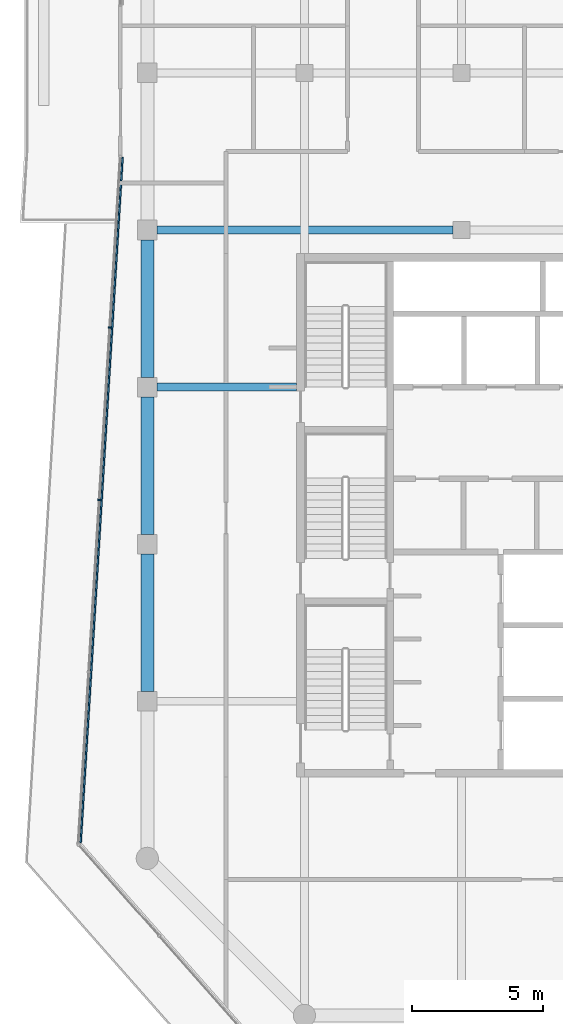
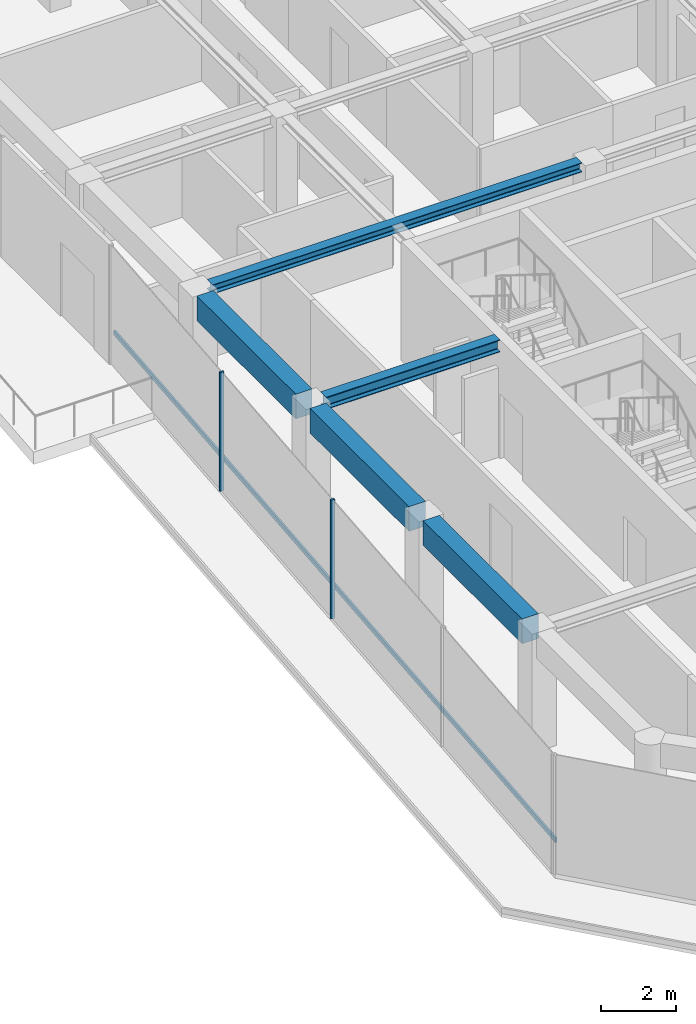
# One storey, part 4 of 18: 5 beams, 3 members, 1 element without a shape of its own.
"""IFC4 building model written with IfcOpenShell, lengths in metres."""

from ifc_helpers import new_model, si_unit, direction, frame, origin, origin_2d, place, context, subcontext, project, spatial, rectangle, i_section, extrude, material, layer, layer_set, material_profile, profile_set, type_object, element, aggregate, save


model = new_model("IFC4")

# Units and contexts
model_context = context("Model", 3, precision=1e-05, world=origin(), true_north=direction((0.0, 1.0)))
body_context = subcontext(model_context, "Body", "Model", "MODEL_VIEW")
ifc_project = project(units=[si_unit("LENGTHUNIT", "METRE"), si_unit("AREAUNIT", "SQUARE_METRE"), si_unit("VOLUMEUNIT", "CUBIC_METRE"), si_unit("PLANEANGLEUNIT", "RADIAN"), si_unit("MASSUNIT", "GRAM", prefix="KILO")], contexts=[model_context])

# Site, building, storey
site_placement = place(None, origin())
site = spatial("IfcSite", under=ifc_project, at=site_placement, CompositionType="ELEMENT")
building_placement = place(site_placement, origin())
building = spatial("IfcBuilding", under=site, at=building_placement, Name="Welwitschia Terrace Campus", CompositionType="ELEMENT")
storey_placement = place(building_placement, frame((0.0, 0.0, 272.60009765625)))
storey = spatial("IfcBuildingStorey", under=building, at=storey_placement, Name="L60", CompositionType="ELEMENT", Elevation=272.60009765625)

# Beam
ifc_material_1 = material(Name="Steel S355", Category="steel")
ifc_material_profile_1 = material_profile(ifc_material_1, i_section(OverallWidth=0.300048828125, OverallDepth=0.300048828125, WebThickness=0.010986328125, FlangeThickness=0.01904296875, FilletRadius=0.027099609375, at=origin_2d()))
ifc_profile_set_1 = profile_set([ifc_material_profile_1], Name="Steel S355")
beam_type_1 = type_object("IfcBeamType", Name="Interior girder HE 300 B", PredefinedType="BEAM", material=ifc_profile_set_1)
beam_1_placement = place(storey_placement, frame((0.365478515625, 26.0, 3.699951171875), z_axis=(1.0, 0.0, 0.0), x_axis=(0.0, 1.0, 0.0)))
element("IfcBeam", 1, at=beam_1_placement, inside=storey, type_object=beam_type_1, Name="Girder GB6", PredefinedType="BEAM", context=body_context, shape_type="SweptSolid", body=[
    extrude(i_section(OverallWidth=0.300048828125, OverallDepth=0.300048828125, WebThickness=0.010986328125, FlangeThickness=0.01904296875, FilletRadius=0.027099609375, at=origin_2d()), origin(), (0.0, 0.0, 1.0), 11.30908203125),
])

# Curtain wall, members
ifc_material_2 = material(Name="Bronze anodised aluminium", Category="aluminium")
ifc_layer = layer(ifc_material_2, 0.1201171875)
ifc_layer_set = layer_set([ifc_layer], Name="Bronze anodised aluminium")
curtain_wall_type = type_object("IfcCurtainWallType", Name="Curtain wall CW2 tower 6000", PredefinedType="NOTDEFINED", material=ifc_layer_set)
curtain_wall_placement = place(storey_placement, origin())
curtain_wall = element("IfcCurtainWall", 2, at=curtain_wall_placement, inside=storey, type_object=curtain_wall_type, Name="CW L60.0.0", PredefinedType="NOTDEFINED")
ifc_material_3 = material(Name="Bronze anodised aluminium", Category="aluminium")
ifc_material_profile_2 = material_profile(ifc_material_3, rectangle(XDim=0.1201171875, YDim=0.06005859375, at=origin_2d()))
ifc_profile_set_2 = profile_set([ifc_material_profile_2], Name="Bronze anodised aluminium")
member_type_1 = type_object("IfcMemberType", Name="Mullion 60x120", PredefinedType="MULLION", material=ifc_profile_set_2)
member_1_placement = place(storey_placement, frame((-1.432373046875, 22.269775390625, 0.0), z_axis=(0.0, 0.0, 1.0), x_axis=(0.998134798422, -0.061048539535, 0.0)))
member_1 = element("IfcMember", 3, at=member_1_placement, type_object=member_type_1, Name="Mullion L60.0.0.1", PredefinedType="MULLION", context=body_context, shape_type="SweptSolid", body=[
    extrude(rectangle(XDim=0.1201171875, YDim=0.06005859375, at=origin_2d()), origin(), (0.0, 0.0, 1.0), 3.849853515625),
])
member_2_placement = place(storey_placement, frame((-1.83447265625, 15.69287109375, 0.0), z_axis=(0.0, 0.0, 1.0), x_axis=(0.998134798422, -0.061048539535, 0.0)))
member_2 = element("IfcMember", 4, at=member_2_placement, type_object=member_type_1, Name="Mullion L60.0.0.2", PredefinedType="MULLION", context=body_context, shape_type="SweptSolid", body=[
    extrude(rectangle(XDim=0.1201171875, YDim=0.06005859375, at=origin_2d()), origin(), (0.0, 0.0, 1.0), 3.849853515625),
])

# Beams
ifc_material_4 = material(Name="Steel S355", Category="steel")
ifc_material_profile_3 = material_profile(ifc_material_4, i_section(OverallWidth=0.300048828125, OverallDepth=0.39990234375, WebThickness=0.013427734375, FlangeThickness=0.02392578125, FilletRadius=0.027099609375, at=origin_2d()))
ifc_profile_set_3 = profile_set([ifc_material_profile_3], Name="Steel S355")
beam_type_2 = type_object("IfcBeamType", Name="Primary beam HE 400 B", PredefinedType="BEAM", material=ifc_profile_set_3)
beam_2_placement = place(storey_placement, frame((0.37548828125, 20.0, 3.64990234375), z_axis=(1.0, 0.0, 0.0), x_axis=(0.0, 1.0, 0.0)))
element("IfcBeam", 5, at=beam_2_placement, inside=storey, type_object=beam_type_2, Name="Primary beam PB6", PredefinedType="BEAM", context=body_context, shape_type="SweptSolid", body=[
    extrude(i_section(OverallWidth=0.300048828125, OverallDepth=0.39990234375, WebThickness=0.013427734375, FlangeThickness=0.02392578125, FilletRadius=0.027099609375, at=origin_2d()), origin(), (0.0, 0.0, 1.0), 5.324462890625),
])
ifc_material_5 = material(Name="Concrete C50/60", Category="concrete")
ifc_material_profile_4 = material_profile(ifc_material_5, rectangle(XDim=0.5, YDim=0.800048828125, at=origin_2d()))
ifc_profile_set_4 = profile_set([ifc_material_profile_4], Name="Concrete C50/60")
beam_type_3 = type_object("IfcBeamType", Name="Ring spandrel 500x800", PredefinedType="SPANDREL", material=ifc_profile_set_4)
for number, where, z_axis, x_axis, name in (
    (6, (0.0, 25.62451171875, 3.449951171875), (0.0, -1.0, 0.0), (1.0, 0.0, 0.0), "Spandrel SP4"),
    (7, (0.0, 19.62451171875, 3.449951171875), (0.0, -1.0, 0.0), (1.0, 0.0, 0.0), "Spandrel SP4"),
    (8, (0.0, 13.62451171875, 3.449951171875), (0.0, -1.0, 0.0), (1.0, 0.0, 0.0), "Spandrel SP4"),
):
    element("IfcBeam", number, at=place(storey_placement, frame(where, z_axis=z_axis, x_axis=x_axis)), inside=storey, type_object=beam_type_3, Name=name, PredefinedType="SPANDREL", context=body_context, shape_type="SweptSolid", body=[
        extrude(rectangle(XDim=0.5, YDim=0.800048828125, at=origin_2d()), origin(), (0.0, 0.0, 1.0), 5.2490234375),
    ])

# Member
ifc_material_6 = material(Name="Bronze anodised aluminium", Category="aluminium")
ifc_material_profile_5 = material_profile(ifc_material_6, rectangle(XDim=0.06005859375, YDim=0.14990234375, at=origin_2d()))
ifc_profile_set_5 = profile_set([ifc_material_profile_5], Name="Bronze anodised aluminium")
member_type_2 = type_object("IfcMemberType", Name="Transom 60x150", PredefinedType="USERDEFINED", material=ifc_profile_set_5)
member_3_placement = place(storey_placement, frame((-0.94384765625, 28.781005859375, 1.0), z_axis=(-0.061044032759, -0.998135074058, 0.0), x_axis=(0.998135074058, -0.061044032759, 0.0)))
member_3 = element("IfcMember", 9, at=member_3_placement, type_object=member_type_2, Name="Transom L60.0.0", ObjectType="TRANSOM", PredefinedType="USERDEFINED", context=body_context, shape_type="SweptSolid", body=[
    extrude(rectangle(XDim=0.06005859375, YDim=0.14990234375, at=origin_2d()), origin(), (0.0, 0.0, 1.0), 26.236083984375),
])

aggregate(curtain_wall, [member_1, member_2, member_3])

save(model, "model.ifc")
